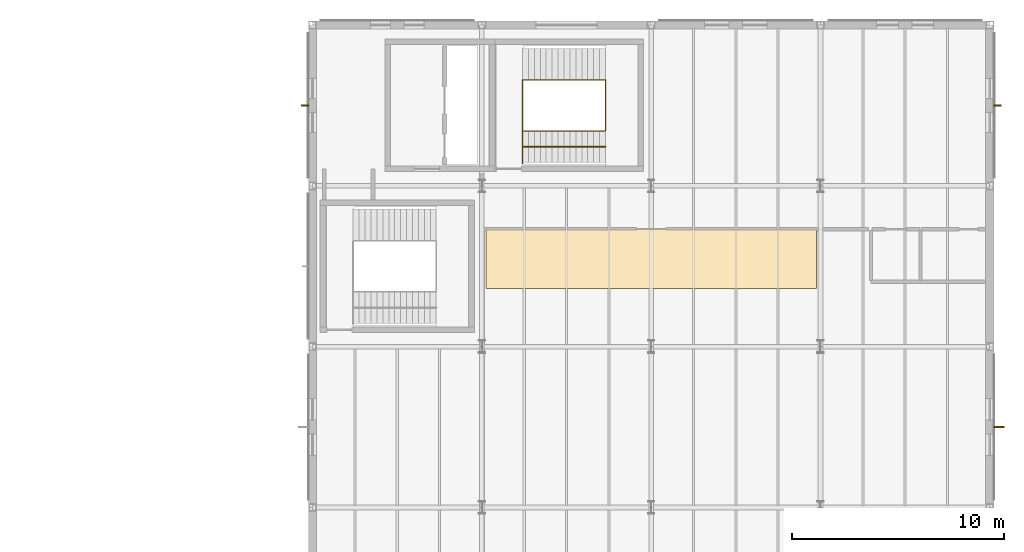
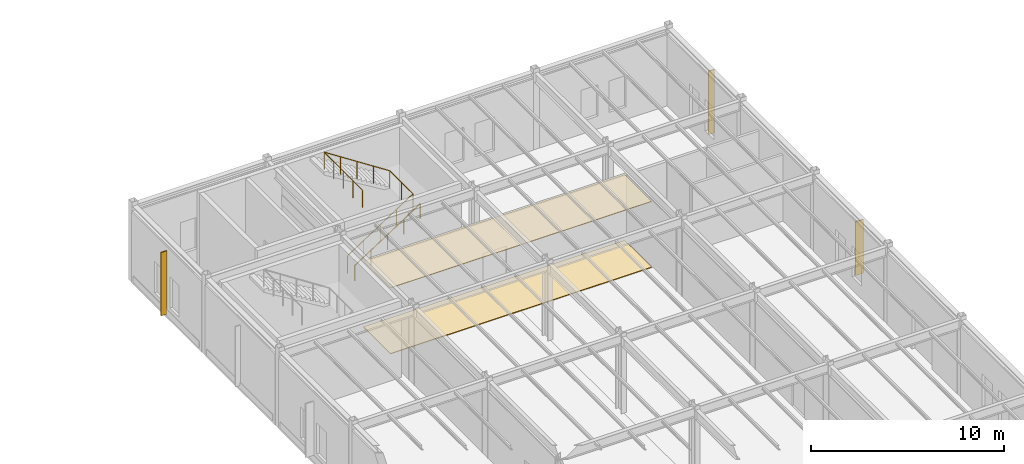
# One storey, part 108 of 109: 3 shading devices, 2 coverings, 2 railings.
"""IFC4 building model written with IfcOpenShell, lengths in metres."""

from ifc_helpers import new_model, si_unit, direction, frame, origin, origin_2d, place, context, subcontext, project, spatial, polyline, rectangle, circle, outline, extrude, material, layer, layer_set, type_object, element, save


model = new_model("IFC4")

# Units and contexts
model_context = context("Model", 3, precision=1e-05, world=origin(), true_north=direction((0.0, 1.0)))
body_context = subcontext(model_context, "Body", "Model", "MODEL_VIEW")
ifc_project = project(units=[si_unit("LENGTHUNIT", "METRE"), si_unit("AREAUNIT", "SQUARE_METRE"), si_unit("VOLUMEUNIT", "CUBIC_METRE"), si_unit("PLANEANGLEUNIT", "RADIAN"), si_unit("MASSUNIT", "GRAM", prefix="KILO")], contexts=[model_context])

# Site, building, storey
site_placement = place(None, origin())
site = spatial("IfcSite", under=ifc_project, at=site_placement, CompositionType="ELEMENT")
building_placement = place(site_placement, origin())
building = spatial("IfcBuilding", under=site, at=building_placement, Name="Montecoro Central Library", CompositionType="ELEMENT")
storey_placement = place(building_placement, origin())
storey = spatial("IfcBuildingStorey", under=building, at=storey_placement, Name="L00", CompositionType="ELEMENT", Elevation=0.0)

# Coverings
ifc_material_1 = material(Name="Acoustic perforated mineral ceiling")
ifc_layer_1 = layer(ifc_material_1, 0.0400390625)
ifc_layer_set_1 = layer_set([ifc_layer_1], Name="Acoustic perforated mineral ceiling")
covering_type_1 = type_object("IfcCoveringType", Name="COV-CLG-03", PredefinedType="CEILING", material=ifc_layer_set_1)
covering_1_placement = place(storey_placement, frame((0.0, 0.0, 4.159912109375)))
element("IfcCovering", 1, at=covering_1_placement, inside=storey, type_object=covering_type_1, Name="CLG-SP-V5-L00-R2P1", PredefinedType="CEILING", context=body_context, shape_type="SweptSolid", body=[
    extrude(outline(polyline([(149.18994140625, 106.550048828125), (164.81005859375, 106.550048828125), (164.81005859375, 109.35009765625), (149.18994140625, 109.35009765625), (149.18994140625, 106.550048828125)])), origin(), (0.0, 0.0, 1.0), 0.0400390625),
])
ifc_material_2 = material(Name="Neapolitan brass-inlaid terrazzo flooring")
ifc_layer_2 = layer(ifc_material_2, 0.0439453125)
ifc_layer_set_2 = layer_set([ifc_layer_2], Name="Neapolitan brass-inlaid terrazzo flooring")
covering_type_2 = type_object("IfcCoveringType", Name="COV-FLR-03", PredefinedType="FLOORING", material=ifc_layer_set_2)
covering_2_placement = place(storey_placement, origin())
element("IfcCovering", 2, at=covering_2_placement, inside=storey, type_object=covering_type_2, Name="FLR-SP-V5-L00-R2P1", PredefinedType="FLOORING", context=body_context, shape_type="SweptSolid", body=[
    extrude(outline(polyline([(149.18994140625, 106.550048828125), (164.81005859375, 106.550048828125), (164.81005859375, 109.35009765625), (149.18994140625, 109.35009765625), (149.18994140625, 106.550048828125)])), origin(), (0.0, 0.0, 1.0), 0.0439453125),
])

# Railings
ifc_material_3 = material(Name="Brushed stainless steel and bronze balustrade", Category="steel")
railing_type_1 = type_object("IfcRailingType", Name="GRD-INT-110", PredefinedType="GUARDRAIL", material=ifc_material_3)
railing_1_placement = place(storey_placement, frame((150.919921875, 114.0, 0.0)))
element("IfcRailing", 3, at=railing_1_placement, inside=storey, type_object=railing_type_1, Name="C6-L00-STR-GRD", PredefinedType="GUARDRAIL", context=body_context, shape_type="SweptSolid", body=[
    extrude(circle(Radius=0.02392578125, at=origin_2d()), frame((0.0, 0.0, 1.09619140625), z_axis=(0.838253921411, 0.0, 0.545280077794), x_axis=(0.0, 1.0, 0.0)), (0.0, 0.0, 1.0), 4.676513671875),
    extrude(circle(Radius=0.02392578125, at=origin_2d()), frame((3.920166015625, 0.0, 3.64599609375), z_axis=(0.0, 1.0, 0.0), x_axis=(-1.0, 0.0, 0.0)), (0.0, 0.0, 1.0), 2.39990234375),
    extrude(circle(Radius=0.02392578125, at=origin_2d()), frame((3.920166015625, 2.39990234375, 3.64599609375), z_axis=(-0.838253921411, 0.0, 0.545280077794), x_axis=(0.0, -1.0, 0.0)), (0.0, 0.0, 1.0), 4.676513671875),
    extrude(circle(Radius=0.02392578125, at=origin_2d()), frame((0.0, 2.39990234375, 6.1962890625), z_axis=(0.0, -1.0, 0.0), x_axis=(1.0, 0.0, 0.0)), (0.0, 0.0, 1.0), 3.949951171875),
    extrude(circle(Radius=0.02099609375, at=origin_2d()), origin(), (0.0, 0.0, 1.0), 1.072021484375),
    extrude(circle(Radius=0.02099609375, at=origin_2d()), frame((0.97998046875, 0.0, 0.637451171875)), (0.0, 0.0, 1.0), 1.072021484375),
    extrude(circle(Radius=0.02099609375, at=origin_2d()), frame((1.9599609375, 0.0, 1.27490234375)), (0.0, 0.0, 1.0), 1.072021484375),
    extrude(circle(Radius=0.02099609375, at=origin_2d()), frame((2.940185546875, 0.0, 1.91259765625)), (0.0, 0.0, 1.0), 1.072021484375),
    extrude(circle(Radius=0.02099609375, at=origin_2d()), frame((3.920166015625, 0.0, 2.550048828125)), (0.0, 0.0, 1.0), 1.072021484375),
    extrude(circle(Radius=0.02099609375, at=origin_2d()), frame((3.920166015625, 1.199951171875, 2.550048828125)), (0.0, 0.0, 1.0), 1.072021484375),
    extrude(circle(Radius=0.02099609375, at=origin_2d()), frame((3.920166015625, 2.39990234375, 2.550048828125)), (0.0, 0.0, 1.0), 1.072021484375),
    extrude(circle(Radius=0.02099609375, at=origin_2d()), frame((2.940185546875, 2.39990234375, 3.1875)), (0.0, 0.0, 1.0), 1.072021484375),
    extrude(circle(Radius=0.02099609375, at=origin_2d()), frame((1.9599609375, 2.39990234375, 3.8251953125)), (0.0, 0.0, 1.0), 1.072021484375),
    extrude(circle(Radius=0.02099609375, at=origin_2d()), frame((0.97998046875, 2.39990234375, 4.462646484375)), (0.0, 0.0, 1.0), 1.072021484375),
    extrude(circle(Radius=0.02099609375, at=origin_2d()), frame((0.0, 2.39990234375, 5.10009765625)), (0.0, 0.0, 1.0), 1.072021484375),
    extrude(circle(Radius=0.02099609375, at=origin_2d()), frame((0.0, 1.412353515625, 5.10009765625)), (0.0, 0.0, 1.0), 1.072021484375),
    extrude(circle(Radius=0.02099609375, at=origin_2d()), frame((0.0, 0.4248046875, 5.10009765625)), (0.0, 0.0, 1.0), 1.072021484375),
    extrude(circle(Radius=0.02099609375, at=origin_2d()), frame((0.0, -0.5625, 5.10009765625)), (0.0, 0.0, 1.0), 1.072021484375),
    extrude(circle(Radius=0.02099609375, at=origin_2d()), frame((0.0, -1.550048828125, 5.10009765625)), (0.0, 0.0, 1.0), 1.072021484375),
])
ifc_material_4 = material(Name="Brushed architectural bronze handrail")
railing_type_2 = type_object("IfcRailingType", Name="HRL-STR-095", PredefinedType="HANDRAIL", material=ifc_material_4)
railing_2_placement = place(storey_placement, frame((150.919921875, 113.25, 0.0)))
element("IfcRailing", 4, at=railing_2_placement, inside=storey, type_object=railing_type_2, Name="C6-L00-STR-HR1", PredefinedType="HANDRAIL", context=body_context, shape_type="SweptSolid", body=[
    extrude(circle(Radius=0.02392578125, at=origin_2d()), frame((0.0, 0.0, 0.92578125), z_axis=(0.838253921411, 0.0, 0.545280077794), x_axis=(0.0, 1.0, 0.0)), (0.0, 0.0, 1.0), 4.676513671875),
    extrude(circle(Radius=0.02099609375, at=origin_2d()), origin(), (0.0, 0.0, 1.0), 0.90185546875),
    extrude(circle(Radius=0.02099609375, at=origin_2d()), frame((0.97998046875, 0.0, 0.637451171875)), (0.0, 0.0, 1.0), 0.90185546875),
    extrude(circle(Radius=0.02099609375, at=origin_2d()), frame((1.9599609375, 0.0, 1.27490234375)), (0.0, 0.0, 1.0), 0.90185546875),
    extrude(circle(Radius=0.02099609375, at=origin_2d()), frame((2.940185546875, 0.0, 1.91259765625)), (0.0, 0.0, 1.0), 0.90185546875),
    extrude(circle(Radius=0.02099609375, at=origin_2d()), frame((3.920166015625, 0.0, 2.550048828125)), (0.0, 0.0, 1.0), 0.90185546875),
])

# Shading devices
ifc_material_5 = material(Name="Architectural bronze solar fin", Category="aluminium")
shading_device_type_1 = type_object("IfcShadingDeviceType", Name="SHD-FIN-06", PredefinedType="USERDEFINED", material=ifc_material_5)
shading_device_placement = place(storey_placement, frame((173.430419921875, 100.0, 0.550048828125), z_axis=(0.0, 0.0, 1.0), x_axis=(0.0, 1.0, 0.0)))
element("IfcShadingDevice", 5, at=shading_device_placement, inside=storey, type_object=shading_device_type_1, Name="V5-L00-FIN-E3", ObjectType="SOLAR FIN", PredefinedType="USERDEFINED", context=body_context, shape_type="SweptSolid", body=[
    extrude(rectangle(XDim=0.06005859375, YDim=0.47998046875, at=origin_2d()), origin(), (0.0, 0.0, 1.0), 3.39990234375),
])
shading_device_type_2 = type_object("IfcShadingDeviceType", Name="SHD-FIN-08", PredefinedType="USERDEFINED", material=ifc_material_5)
for number, where, z_axis, x_axis, name in (
    (6, (173.365478515625, 115.199951171875, 0.25), (0.0, 0.0, 1.0), (0.0, 1.0, 0.0), "V5-L00-FIN-E5"),
    (7, (140.634521484375, 115.199951171875, 0.25), (0.0, 0.0, 1.0), (0.0, -1.0, 0.0), "V5-L00-FIN-W5"),
):
    element("IfcShadingDevice", number, at=place(storey_placement, frame(where, z_axis=z_axis, x_axis=x_axis)), inside=storey, type_object=shading_device_type_2, Name=name, ObjectType="SOLAR FIN", PredefinedType="USERDEFINED", context=body_context, shape_type="SweptSolid", body=[
        extrude(rectangle(XDim=0.06005859375, YDim=0.35009765625, at=origin_2d()), origin(), (0.0, 0.0, 1.0), 4.0),
    ])

save(model, "model.ifc")
